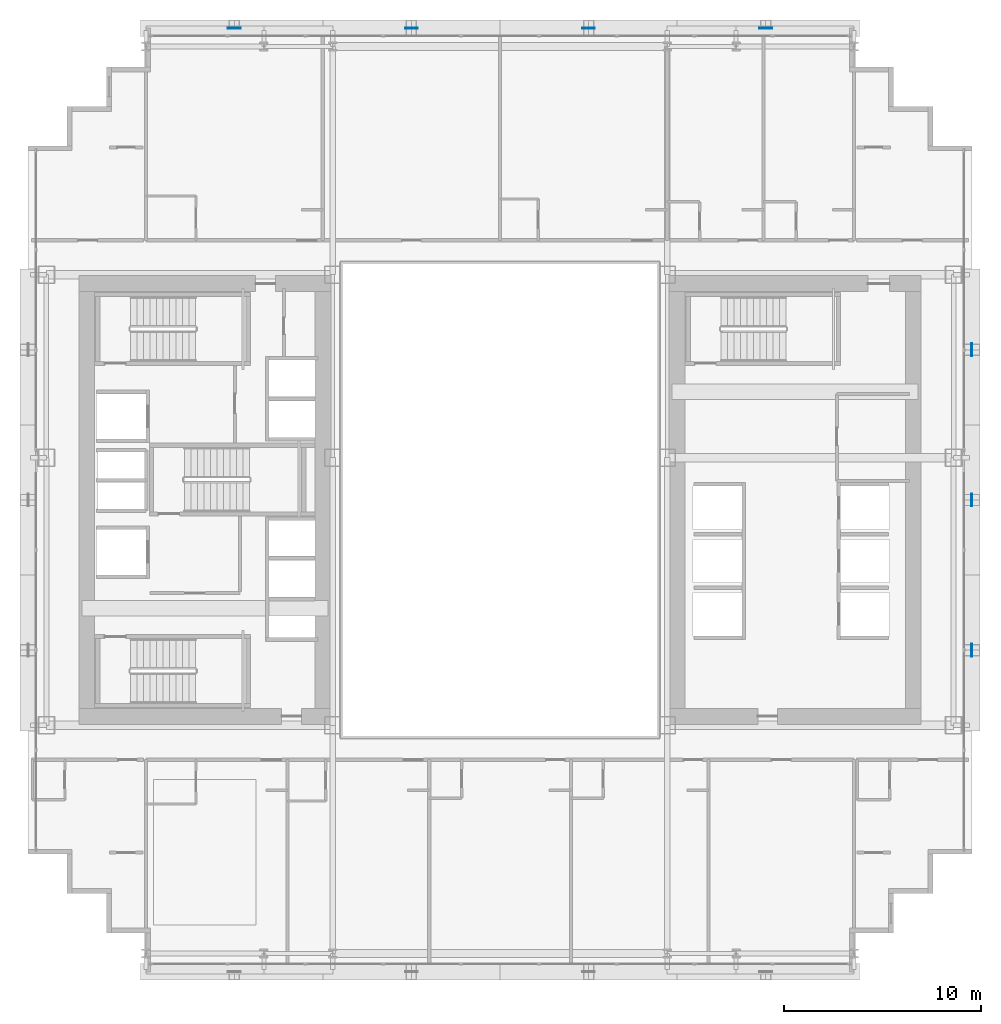
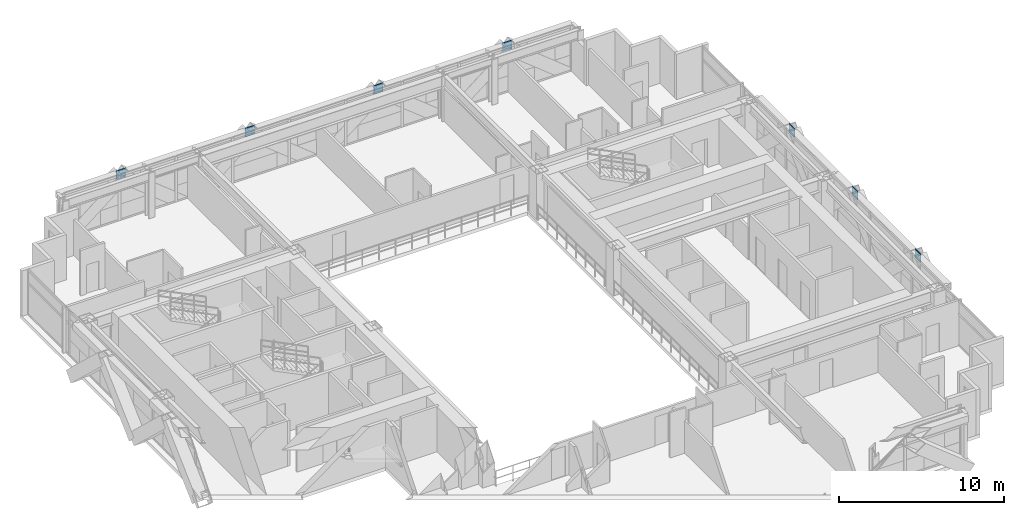
# One storey, part 26 of 35: 7 plates.
"""IFC4 building model written with IfcOpenShell, lengths in metres."""

from ifc_helpers import new_model, si_unit, direction, frame, origin, origin_2d, place, context, subcontext, project, spatial, rectangle, extrude, source, transform, mapped, material, layer, layer_set, type_object, element, save


model = new_model("IFC4")

# Units and contexts
model_context = context("Model", 3, precision=1e-05, world=origin(), true_north=direction((0.0, 1.0)))
body_context = subcontext(model_context, "Body", "Model", "MODEL_VIEW")
ifc_project = project(units=[si_unit("LENGTHUNIT", "METRE"), si_unit("AREAUNIT", "SQUARE_METRE"), si_unit("VOLUMEUNIT", "CUBIC_METRE"), si_unit("PLANEANGLEUNIT", "RADIAN"), si_unit("MASSUNIT", "GRAM", prefix="KILO")], contexts=[model_context])

# Site, building, storey
site_placement = place(None, origin())
site = spatial("IfcSite", under=ifc_project, at=site_placement, CompositionType="ELEMENT")
building_placement = place(site_placement, origin())
building = spatial("IfcBuilding", under=site, at=building_placement, Name="Ocotamira Hotel", CompositionType="ELEMENT")
storey_placement = place(building_placement, frame((0.0, 0.0, 78.0)))
storey = spatial("IfcBuildingStorey", under=building, at=storey_placement, Name="L19", CompositionType="ELEMENT", Elevation=78.0)

# Plates
ifc_material = material(Name="Pale-metal coated steel ASTM A572 Grade 50", Category="steel")
ifc_layer = layer(ifc_material, 0.0400390625)
ifc_layer_set = layer_set([ifc_layer], Name="Pale-metal coated steel ASTM A572 Grade 50")
plate_type = type_object("IfcPlateType", Name="PLT-GUSSET-40", PredefinedType="SHEET", material=ifc_layer_set)
shared_shape_1 = source(origin(), body_context, "Body", "SweptSolid", [
    extrude(rectangle(XDim=0.64990234375, YDim=0.0400390625, at=origin_2d()), origin(), (0.0, 0.0, 1.0), 0.64990234375),
])
for number, where, z_axis, x_axis, name in (
    (1, (18.5, 49.969970703125, 2.775146484375), (0.0, 0.0, 1.0), (1.0, 0.0, 0.0), "L19 Exoskeleton Diagrid N0.1 End Gusset B"),
    (2, (27.5, 49.969970703125, 2.775146484375), (0.0, 0.0, 1.0), (1.0, 0.0, 0.0), "L19 Exoskeleton Diagrid N1.1 End Gusset B"),
    (3, (36.5, 49.969970703125, 2.775146484375), (0.0, 0.0, 1.0), (1.0, 0.0, 0.0), "L19 Exoskeleton Diagrid N2.1 End Gusset B"),
    (4, (45.5, 49.969970703125, 2.775146484375), (0.0, 0.0, 1.0), (1.0, 0.0, 0.0), "L19 Exoskeleton Diagrid N3.1 End Gusset B"),
):
    element("IfcPlate", number, at=place(storey_placement, frame(where, z_axis=z_axis, x_axis=x_axis)), inside=storey, type_object=plate_type, Name=name, PredefinedType="SHEET", context=body_context, shape_type="MappedRepresentation", body=[
        mapped(shared_shape_1, transform((0.0, 0.0, 0.0), scale=1.0)),
    ])
shared_shape_2 = source(origin(), body_context, "Body", "SweptSolid", [
    extrude(rectangle(XDim=0.0400390625, YDim=0.64990234375, at=origin_2d()), origin(), (0.0, 0.0, 1.0), 0.64990234375),
])
for number, where, z_axis, x_axis, name in (
    (5, (55.969970703125, 18.36669921875, 2.775146484375), (0.0, 0.0, 1.0), (1.0, 0.0, 0.0), "L19 Exoskeleton Diagrid E0.1 End Gusset B"),
    (6, (55.969970703125, 26.0, 2.775146484375), (0.0, 0.0, 1.0), (1.0, 0.0, 0.0), "L19 Exoskeleton Diagrid E1.1 End Gusset B"),
    (7, (55.969970703125, 33.63330078125, 2.775146484375), (0.0, 0.0, 1.0), (1.0, 0.0, 0.0), "L19 Exoskeleton Diagrid E2.1 End Gusset B"),
):
    element("IfcPlate", number, at=place(storey_placement, frame(where, z_axis=z_axis, x_axis=x_axis)), inside=storey, type_object=plate_type, Name=name, PredefinedType="SHEET", context=body_context, shape_type="MappedRepresentation", body=[
        mapped(shared_shape_2, transform((0.0, 0.0, 0.0), scale=1.0)),
    ])

save(model, "model.ifc")
